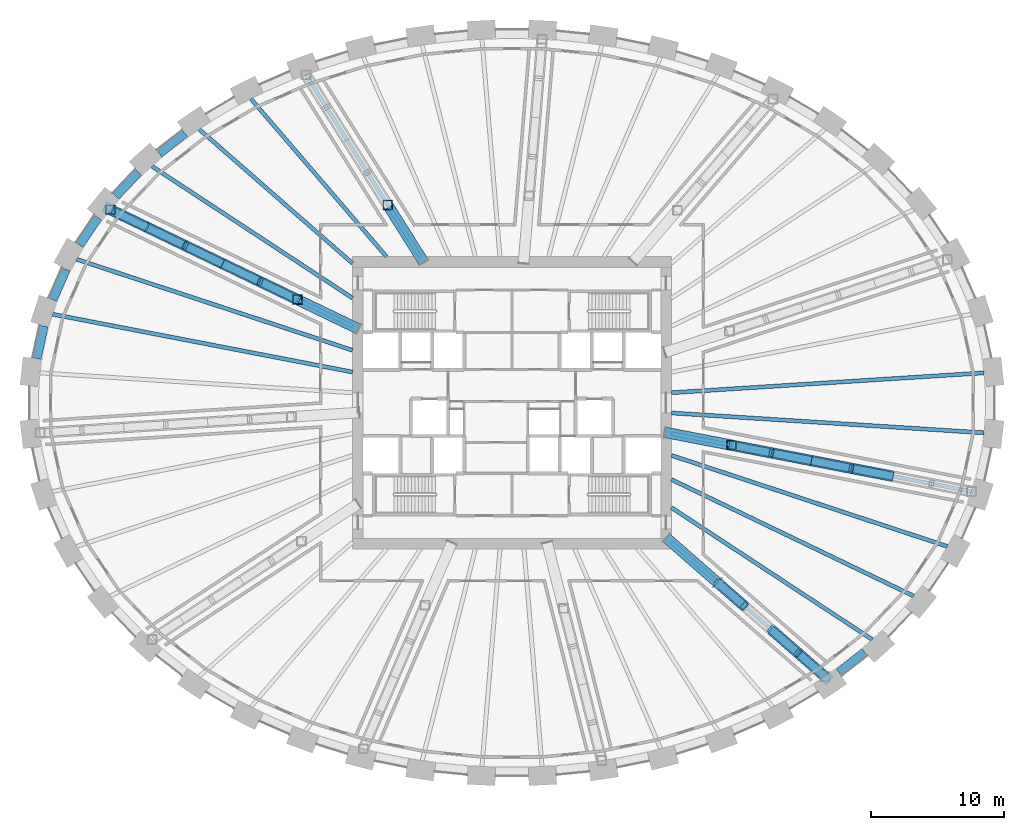
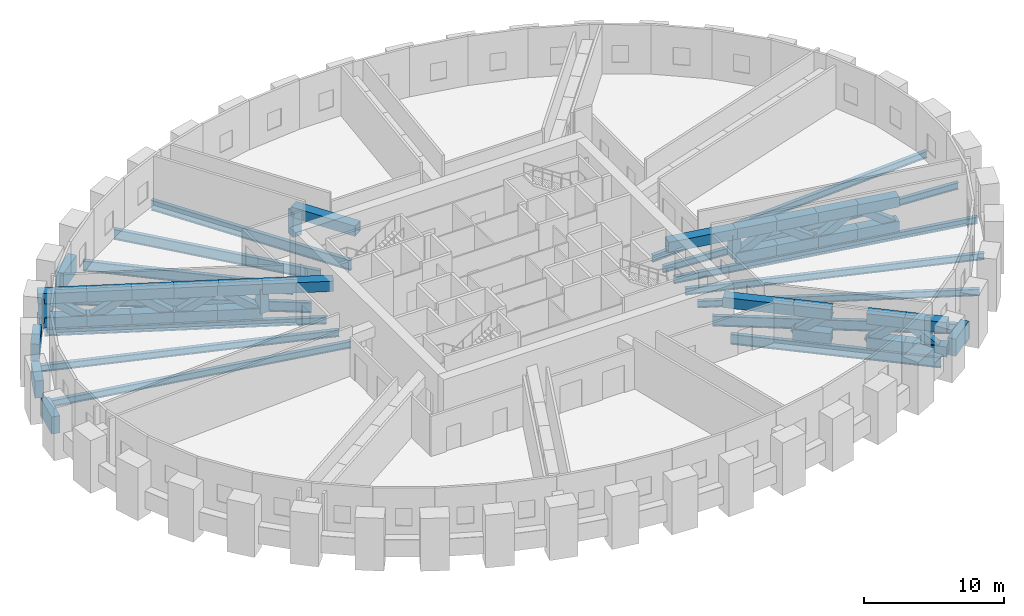
# One storey, part 3 of 13: 44 members, 20 beams.
"""IFC4 building model written with IfcOpenShell, lengths in metres."""

from ifc_helpers import new_model, si_unit, direction, frame, origin, origin_2d, place, context, subcontext, project, spatial, rectangle, hollow_rectangle, i_section, extrude, source, transform, mapped, material, material_profile, profile_set, type_object, element, save


model = new_model("IFC4")

# Units and contexts
model_context = context("Model", 3, precision=1e-05, world=origin(), true_north=direction((0.0, 1.0)))
body_context = subcontext(model_context, "Body", "Model", "MODEL_VIEW")
ifc_project = project(units=[si_unit("LENGTHUNIT", "METRE"), si_unit("AREAUNIT", "SQUARE_METRE"), si_unit("VOLUMEUNIT", "CUBIC_METRE"), si_unit("PLANEANGLEUNIT", "RADIAN"), si_unit("MASSUNIT", "GRAM", prefix="KILO")], contexts=[model_context])

# Site, building, storey
site_placement = place(None, origin())
site = spatial("IfcSite", under=ifc_project, at=site_placement, CompositionType="ELEMENT")
building_placement = place(site_placement, origin())
building = spatial("IfcBuilding", under=site, at=building_placement, Name="Embergate Tower", CompositionType="ELEMENT")
storey_placement = place(building_placement, frame((0.0, 0.0, 195.0)))
storey = spatial("IfcBuildingStorey", under=building, at=storey_placement, Name="L44", CompositionType="ELEMENT", Elevation=195.0)

# Beams
ifc_material_1 = material(Name="Concrete C60", Category="concrete")
ifc_material_profile_1 = material_profile(ifc_material_1, rectangle(XDim=0.64990234375, YDim=1.5, at=origin_2d()), Name="RC 650x1500")
ifc_profile_set_1 = profile_set([ifc_material_profile_1], Name="Concrete C60")
beam_type_1 = type_object("IfcBeamType", Name="Spandrel beam RC 650x1500 C60", PredefinedType="BEAM", material=ifc_profile_set_1)
shared_shape_1 = source(origin(), body_context, "Body", "SweptSolid", [
    extrude(rectangle(XDim=0.64990234375, YDim=1.5, at=origin_2d()), origin(), (0.0, 0.0, 1.0), 2.495849609375),
])
beam_1_placement = place(storey_placement, frame((-35.221923828125, 5.77587890625, 0.0), z_axis=(-0.210410815017, -0.97761305685, 0.0), x_axis=(0.97761305685, -0.210410815017, 0.0)))
element("IfcBeam", 1, at=beam_1_placement, inside=storey, type_object=beam_type_1, Name="SPN-L44-20", PredefinedType="BEAM", context=body_context, shape_type="MappedRepresentation", body=[
    mapped(shared_shape_1, transform((0.0, 0.0, 0.0))),
])
shared_shape_2 = source(origin(), body_context, "Body", "SweptSolid", [
    extrude(rectangle(XDim=0.64990234375, YDim=1.5, at=origin_2d()), origin(), (0.0, 0.0, 1.0), 2.4873046875),
])
beam_2_placement = place(storey_placement, frame((-33.55810546875, 10.0458984375, 0.0), z_axis=(-0.401570504265, -0.915828111659, 0.0), x_axis=(0.915828111659, -0.401570504265, 0.0)))
element("IfcBeam", 2, at=beam_2_placement, inside=storey, type_object=beam_type_1, Name="SPN-L44-19", PredefinedType="BEAM", context=body_context, shape_type="MappedRepresentation", body=[
    mapped(shared_shape_2, transform((0.0, 0.0, 0.0))),
])
shared_shape_3 = source(origin(), body_context, "Body", "SweptSolid", [
    extrude(rectangle(XDim=0.64990234375, YDim=1.5, at=origin_2d()), origin(), (0.0, 0.0, 1.0), 2.48193359375),
])
beam_3_placement = place(storey_placement, frame((-31.14501953125, 13.93603515625, 0.0), z_axis=(-0.562484902419, -0.826807555935, 0.0), x_axis=(0.826807555935, -0.562484902419, 0.0)))
element("IfcBeam", 3, at=beam_3_placement, inside=storey, type_object=beam_type_1, Name="SPN-L44-18", PredefinedType="BEAM", context=body_context, shape_type="MappedRepresentation", body=[
    mapped(shared_shape_3, transform((0.0, 0.0, 0.0))),
])
shared_shape_4 = source(origin(), body_context, "Body", "SweptSolid", [
    extrude(rectangle(XDim=0.64990234375, YDim=1.5, at=origin_2d()), origin(), (0.0, 0.0, 1.0), 2.474853515625),
])
beam_4_placement = place(storey_placement, frame((-28.10205078125, 17.347900390625, 0.0), z_axis=(-0.690137817058, -0.723677962541, 0.0), x_axis=(0.723677962541, -0.690137817058, 0.0)))
element("IfcBeam", 4, at=beam_4_placement, inside=storey, type_object=beam_type_1, Name="SPN-L44-17", PredefinedType="BEAM", context=body_context, shape_type="MappedRepresentation", body=[
    mapped(shared_shape_4, transform((0.0, 0.0, 0.0))),
])
shared_shape_5 = source(origin(), body_context, "Body", "SweptSolid", [
    extrude(rectangle(XDim=0.64990234375, YDim=1.5, at=origin_2d()), origin(), (0.0, 0.0, 1.0), 2.469970703125),
])
for number, where, z_axis, x_axis, name in (
    (5, (-24.59912109375, 20.277099609375, 0.0), (-0.788201173766, -0.615417670914, 0.0), (0.615417670914, -0.788201173766, 0.0), "SPN-L44-16"),
    (6, (24.59912109375, -20.277099609375, 0.0), (0.788201173766, 0.615417670914, 0.0), (-0.615417670914, 0.788201173766, 0.0), "SPN-L44-38"),
):
    element("IfcBeam", number, at=place(storey_placement, frame(where, z_axis=z_axis, x_axis=x_axis)), inside=storey, type_object=beam_type_1, Name=name, PredefinedType="BEAM", context=body_context, shape_type="MappedRepresentation", body=[
        mapped(shared_shape_5, transform((0.0, 0.0, 0.0))),
    ])
ifc_material_2 = material(Name="Steel Q355B", Category="steel")
ifc_material_profile_2 = material_profile(ifc_material_2, i_section(OverallWidth=0.300048828125, OverallDepth=0.587890625, WebThickness=0.011962890625, FlangeThickness=0.02001953125, FilletRadius=0.012939453125, at=origin_2d()), Name="HM 588x300x12x20")
ifc_profile_set_2 = profile_set([ifc_material_profile_2], Name="Steel Q355 grade B")
beam_type_2 = type_object("IfcBeamType", Name="Plant girder HM 588x300x12x20", PredefinedType="BEAM", material=ifc_profile_set_2)
shared_shape_6 = source(origin(), body_context, "Body", "SweptSolid", [
    extrude(i_section(OverallWidth=0.300048828125, OverallDepth=0.587890625, WebThickness=0.011962890625, FlangeThickness=0.02001953125, FilletRadius=0.012939453125, at=origin_2d()), origin(), (0.0, 0.0, 1.0), 23.5712890625),
])
for number, where, z_axis, x_axis, name in (
    (7, (35.52392578125, 2.256103515625, -0.593994140625), (-0.997988955253, -0.063388052454, 0.0), (0.063388052454, -0.997988955253, 0.0), "GIR-L44-00"),
    (8, (35.52392578125, -2.256103515625, -0.593994140625), (-0.997988955253, 0.063388052454, 0.0), (-0.063388052454, -0.997988955253, 0.0), "GIR-L44-43"),
):
    element("IfcBeam", number, at=place(storey_placement, frame(where, z_axis=z_axis, x_axis=x_axis)), inside=storey, type_object=beam_type_2, Name=name, PredefinedType="BEAM", context=body_context, shape_type="MappedRepresentation", body=[
        mapped(shared_shape_6, transform((0.0, 0.0, 0.0))),
    ])
shared_shape_7 = source(origin(), body_context, "Body", "SweptSolid", [
    extrude(i_section(OverallWidth=0.300048828125, OverallDepth=0.587890625, WebThickness=0.011962890625, FlangeThickness=0.02001953125, FilletRadius=0.012939453125, at=origin_2d()), origin(), (0.0, 0.0, 1.0), 22.989990234375),
])
for number, where, z_axis, x_axis, name in (
    (9, (-34.573974609375, 6.6689453125, -0.593994140625), (0.981902604408, -0.189386576761, 0.0), (0.189386576761, 0.981902604408, 0.0), "GIR-L44-20"),
    (10, (34.573974609375, -6.6689453125, -0.593994140625), (-0.981902604408, 0.189386576761, 0.0), (-0.189386576761, -0.981902604408, 0.0), "GIR-L44-42"),
):
    element("IfcBeam", number, at=place(storey_placement, frame(where, z_axis=z_axis, x_axis=x_axis)), inside=storey, type_object=beam_type_2, Name=name, PredefinedType="BEAM", context=body_context, shape_type="MappedRepresentation", body=[
        mapped(shared_shape_7, transform((0.0, 0.0, 0.0))),
    ])
shared_shape_8 = source(origin(), body_context, "Body", "SweptSolid", [
    extrude(i_section(OverallWidth=0.300048828125, OverallDepth=0.587890625, WebThickness=0.011962890625, FlangeThickness=0.02001953125, FilletRadius=0.012939453125, at=origin_2d()), origin(), (0.0, 0.0, 1.0), 21.86181640625),
])
for number, where, z_axis, x_axis, name in (
    (11, (-32.761962890625, 10.803955078125, -0.593994140625), (0.949690212312, -0.313190837411, 0.0), (0.313190837411, 0.949690212312, 0.0), "GIR-L44-19"),
    (12, (32.761962890625, -10.803955078125, -0.593994140625), (-0.949690212312, 0.313190837411, 0.0), (-0.313190837411, -0.949690212312, 0.0), "GIR-L44-41"),
):
    element("IfcBeam", number, at=place(storey_placement, frame(where, z_axis=z_axis, x_axis=x_axis)), inside=storey, type_object=beam_type_2, Name=name, PredefinedType="BEAM", context=body_context, shape_type="MappedRepresentation", body=[
        mapped(shared_shape_8, transform((0.0, 0.0, 0.0))),
    ])
shared_shape_9 = source(origin(), body_context, "Body", "SweptSolid", [
    extrude(i_section(OverallWidth=0.300048828125, OverallDepth=0.587890625, WebThickness=0.011962890625, FlangeThickness=0.02001953125, FilletRadius=0.012939453125, at=origin_2d()), origin(), (0.0, 0.0, 1.0), 20.220458984375),
])
for number, where, z_axis, x_axis, name in (
    (13, (-30.221923828125, 14.5380859375, -0.593994140625), (0.901163637212, -0.433479064046, 0.0), (0.433479064046, 0.901163637212, 0.0), "GIR-L44-18"),
    (14, (30.221923828125, -14.5380859375, -0.593994140625), (-0.901163637212, 0.433479064046, 0.0), (-0.433479064046, -0.901163637212, 0.0), "GIR-L44-40"),
):
    element("IfcBeam", number, at=place(storey_placement, frame(where, z_axis=z_axis, x_axis=x_axis)), inside=storey, type_object=beam_type_2, Name=name, PredefinedType="BEAM", context=body_context, shape_type="MappedRepresentation", body=[
        mapped(shared_shape_9, transform((0.0, 0.0, 0.0))),
    ])
ifc_material_profile_3 = material_profile(ifc_material_2, i_section(OverallWidth=0.300048828125, OverallDepth=0.89990234375, WebThickness=0.01611328125, FlangeThickness=0.028076171875, FilletRadius=0.028076171875, at=origin_2d()), Name="HN 900x300x16x28")
ifc_profile_set_3 = profile_set([ifc_material_profile_3], Name="Steel Q355 grade B")
beam_type_3 = type_object("IfcBeamType", Name="Plant girder HN 900x300x16x28", PredefinedType="BEAM", material=ifc_profile_set_3)
shared_shape_10 = source(origin(), body_context, "Body", "SweptSolid", [
    extrude(i_section(OverallWidth=0.300048828125, OverallDepth=0.89990234375, WebThickness=0.01611328125, FlangeThickness=0.028076171875, FilletRadius=0.028076171875, at=origin_2d()), origin(), (0.0, 0.0, 1.0), 18.072509765625),
])
for number, where, z_axis, x_axis, name in (
    (15, (-27.10400390625, 17.80810546875, -0.75), (0.835741437454, -0.549123164437, 0.0), (0.549123164437, 0.835741437454, 0.0), "GIR-L44-17"),
    (16, (27.10400390625, -17.80810546875, -0.75), (-0.835741437454, 0.549123164437, 0.0), (-0.549123164437, -0.835741437454, 0.0), "GIR-L44-39"),
):
    element("IfcBeam", number, at=place(storey_placement, frame(where, z_axis=z_axis, x_axis=x_axis)), inside=storey, type_object=beam_type_3, Name=name, PredefinedType="BEAM", context=body_context, shape_type="MappedRepresentation", body=[
        mapped(shared_shape_10, transform((0.0, 0.0, 0.0))),
    ])
shared_shape_11 = source(origin(), body_context, "Body", "SweptSolid", [
    extrude(i_section(OverallWidth=0.300048828125, OverallDepth=0.89990234375, WebThickness=0.01611328125, FlangeThickness=0.028076171875, FilletRadius=0.028076171875, at=origin_2d()), origin(), (0.0, 0.0, 1.0), 15.332275390625),
])
for number, where, z_axis, x_axis, name in (
    (17, (-23.5419921875, 20.587890625, -0.75), (0.752785772217, -0.658265585571, 0.0), (0.658265585571, 0.752785772217, 0.0), "GIR-L44-16"),
    (18, (23.5419921875, -20.587890625, -0.75), (-0.752785772217, 0.658265585571, 0.0), (-0.658265585571, -0.752785772217, 0.0), "GIR-L44-38"),
):
    element("IfcBeam", number, at=place(storey_placement, frame(where, z_axis=z_axis, x_axis=x_axis)), inside=storey, type_object=beam_type_3, Name=name, PredefinedType="BEAM", context=body_context, shape_type="MappedRepresentation", body=[
        mapped(shared_shape_11, transform((0.0, 0.0, 0.0))),
    ])
shared_shape_12 = source(origin(), body_context, "Body", "SweptSolid", [
    extrude(i_section(OverallWidth=0.300048828125, OverallDepth=0.89990234375, WebThickness=0.01611328125, FlangeThickness=0.028076171875, FilletRadius=0.028076171875, at=origin_2d()), origin(), (0.0, 0.0, 1.0), 15.656982421875),
])
beam_5_placement = place(storey_placement, frame((-19.64697265625, 22.8779296875, -0.75), z_axis=(0.65152174109, -0.758629963083, 0.0), x_axis=(0.758629963083, 0.65152174109, 0.0)))
element("IfcBeam", 19, at=beam_5_placement, inside=storey, type_object=beam_type_3, Name="GIR-L44-15", PredefinedType="BEAM", context=body_context, shape_type="MappedRepresentation", body=[
    mapped(shared_shape_12, transform((0.0, 0.0, 0.0))),
])
shared_shape_13 = source(origin(), body_context, "Body", "SweptSolid", [
    extrude(i_section(OverallWidth=0.300048828125, OverallDepth=0.89990234375, WebThickness=0.01611328125, FlangeThickness=0.028076171875, FilletRadius=0.028076171875, at=origin_2d()), origin(), (0.0, 0.0, 1.0), 16.16455078125),
])
beam_6_placement = place(storey_placement, frame((-15.5048828125, 24.68896484375, -0.75), z_axis=(0.531835896926, -0.84684743534, 0.0), x_axis=(0.84684743534, 0.531835896926, 0.0)))
element("IfcBeam", 20, at=beam_6_placement, inside=storey, type_object=beam_type_3, Name="GIR-L44-14", PredefinedType="BEAM", context=body_context, shape_type="MappedRepresentation", body=[
    mapped(shared_shape_13, transform((0.0, 0.0, 0.0))),
])

# Members
ifc_material_profile_4 = material_profile(ifc_material_2, hollow_rectangle(XDim=0.699951171875, YDim=0.699951171875, WallThickness=0.031982421875, at=origin_2d()), Name="BOX 700x700x32")
ifc_profile_set_4 = profile_set([ifc_material_profile_4], Name="Steel Q355 grade B")
member_type_1 = type_object("IfcMemberType", Name="Outrigger post BOX 700x700x32", PredefinedType="POST", material=ifc_profile_set_4)
shared_shape_14 = source(origin(), body_context, "Body", "SweptSolid", [
    extrude(hollow_rectangle(XDim=0.699951171875, YDim=0.699951171875, WallThickness=0.031982421875, at=origin_2d()), origin(), (0.0, 0.0, 1.0), 2.1201171875),
])
for number, where, z_axis, x_axis, name in (
    (21, (-9.35498046875, 14.89501953125, 0.449951171875), (0.0, 0.0, 1.0), (1.0, 0.0, 0.0), "OUT-L44-14-PO00"),
    (22, (-16.14501953125, 7.76708984375, 0.449951171875), (0.0, 0.0, 1.0), (1.0, 0.0, 0.0), "OUT-L44-18-PO00"),
    (23, (-30.221923828125, 14.5390625, 0.449951171875), (0.0, 0.0, 1.0), (1.0, 0.0, 0.0), "OUT-L44-18-PO05"),
    (24, (16.51708984375, -3.18603515625, 0.449951171875), (0.0, 0.0, 1.0), (1.0, 0.0, 0.0), "OUT-L44-42-PO00"),
):
    element("IfcMember", number, at=place(storey_placement, frame(where, z_axis=z_axis, x_axis=x_axis)), inside=storey, type_object=member_type_1, Name=name, PredefinedType="POST", context=body_context, shape_type="MappedRepresentation", body=[
        mapped(shared_shape_14, transform((0.0, 0.0, 0.0))),
    ])
ifc_material_profile_5 = material_profile(ifc_material_2, hollow_rectangle(XDim=0.800048828125, YDim=0.89990234375, WallThickness=0.0400390625, at=origin_2d()), Name="BOX 900x800x40")
ifc_profile_set_5 = profile_set([ifc_material_profile_5], Name="Steel Q355 grade B")
member_type_2 = type_object("IfcMemberType", Name="Outrigger chord BOX 900x800x40", PredefinedType="CHORD", material=ifc_profile_set_5)
shared_shape_15 = source(origin(), body_context, "Body", "SweptSolid", [
    extrude(hollow_rectangle(XDim=0.800048828125, YDim=0.89990234375, WallThickness=0.0400390625, at=origin_2d()), origin(), (0.0, 0.0, 1.0), 5.19970703125),
])
for number, where, z_axis, x_axis, name in (
    (25, (-6.64208984375, 10.576904296875, 2.570068359375), (-0.531926319738, 0.846790641404, 0.0), (-0.846790641404, -0.531926319738, 0.0), "OUT-L44-14-TC00"),
    (26, (11.6240234375, -10.1650390625, 2.570068359375), (0.75276281763, -0.658291835278, 0.0), (0.658291835278, 0.75276281763, 0.0), "OUT-L44-38-TC00"),
):
    element("IfcMember", number, at=place(storey_placement, frame(where, z_axis=z_axis, x_axis=x_axis)), inside=storey, type_object=member_type_2, Name=name, PredefinedType="CHORD", context=body_context, shape_type="MappedRepresentation", body=[
        mapped(shared_shape_15, transform((0.0, 0.0, 0.0))),
    ])
shared_shape_16 = source(origin(), body_context, "Body", "SweptSolid", [
    extrude(hollow_rectangle(XDim=0.800048828125, YDim=0.89990234375, WallThickness=0.0400390625, at=origin_2d()), origin(), (0.0, 0.0, 1.0), 5.200439453125),
])
member_1_placement = place(storey_placement, frame((-11.549072265625, 5.555908203125, 2.570068359375), z_axis=(-0.901085246533, 0.433641993447, 0.0), x_axis=(-0.433641993447, -0.901085246533, 0.0)))
element("IfcMember", 27, at=member_1_placement, inside=storey, type_object=member_type_2, Name="OUT-L44-18-TC00", PredefinedType="CHORD", context=body_context, shape_type="MappedRepresentation", body=[
    mapped(shared_shape_16, transform((0.0, 0.0, 0.0))),
])
shared_shape_17 = source(origin(), body_context, "Body", "SweptSolid", [
    extrude(hollow_rectangle(XDim=0.800048828125, YDim=0.89990234375, WallThickness=0.0400390625, at=origin_2d()), origin(), (0.0, 0.0, 1.0), 3.224853515625),
])
for number, where, z_axis, x_axis, name in (
    (28, (-16.14501953125, 7.76708984375, 2.570068359375), (-0.901151767087, 0.433503740094, 0.0), (-0.433503740094, -0.901151767087, 0.0), "OUT-L44-18-TC01"),
    (29, (-24.591064453125, 11.830078125, 2.570068359375), (-0.901151767087, 0.433503740094, 0.0), (-0.433503740094, -0.901151767087, 0.0), "OUT-L44-18-TC04"),
    (30, (-16.14501953125, 7.76708984375, 0.449951171875), (-0.901151767087, 0.433503740094, 0.0), (-0.433503740094, -0.901151767087, 0.0), "OUT-L44-18-BC00"),
    (31, (-24.591064453125, 11.830078125, 0.449951171875), (-0.901151767087, 0.433503740094, 0.0), (-0.433503740094, -0.901151767087, 0.0), "OUT-L44-18-BC03"),
):
    element("IfcMember", number, at=place(storey_placement, frame(where, z_axis=z_axis, x_axis=x_axis)), inside=storey, type_object=member_type_2, Name=name, PredefinedType="CHORD", context=body_context, shape_type="MappedRepresentation", body=[
        mapped(shared_shape_17, transform((0.0, 0.0, 0.0))),
    ])
shared_shape_18 = source(origin(), body_context, "Body", "SweptSolid", [
    extrude(hollow_rectangle(XDim=0.800048828125, YDim=0.89990234375, WallThickness=0.0400390625, at=origin_2d()), origin(), (0.0, 0.0, 1.0), 3.223388671875),
])
for number, where, z_axis, x_axis, name in (
    (32, (-18.9609375, 9.1220703125, 2.570068359375), (-0.901213175102, 0.433376064201, 0.0), (-0.433376064201, -0.901213175102, 0.0), "OUT-L44-18-TC02"),
    (33, (-18.9609375, 9.1220703125, 0.449951171875), (-0.901213175102, 0.433376064201, 0.0), (-0.433376064201, -0.901213175102, 0.0), "OUT-L44-18-BC01"),
):
    element("IfcMember", number, at=place(storey_placement, frame(where, z_axis=z_axis, x_axis=x_axis)), inside=storey, type_object=member_type_2, Name=name, PredefinedType="CHORD", context=body_context, shape_type="MappedRepresentation", body=[
        mapped(shared_shape_18, transform((0.0, 0.0, 0.0))),
    ])
shared_shape_19 = source(origin(), body_context, "Body", "SweptSolid", [
    extrude(hollow_rectangle(XDim=0.800048828125, YDim=0.89990234375, WallThickness=0.0400390625, at=origin_2d()), origin(), (0.0, 0.0, 1.0), 3.223876953125),
])
for number, where, z_axis, x_axis, name in (
    (34, (-21.77587890625, 10.47607421875, 2.570068359375), (-0.901094833966, 0.433622070702, 0.0), (-0.433622070702, -0.901094833966, 0.0), "OUT-L44-18-TC03"),
    (35, (-21.77587890625, 10.47607421875, 0.449951171875), (-0.901094833966, 0.433622070702, 0.0), (-0.433622070702, -0.901094833966, 0.0), "OUT-L44-18-BC02"),
):
    element("IfcMember", number, at=place(storey_placement, frame(where, z_axis=z_axis, x_axis=x_axis)), inside=storey, type_object=member_type_2, Name=name, PredefinedType="CHORD", context=body_context, shape_type="MappedRepresentation", body=[
        mapped(shared_shape_19, transform((0.0, 0.0, 0.0))),
    ])
shared_shape_20 = source(origin(), body_context, "Body", "SweptSolid", [
    extrude(hollow_rectangle(XDim=0.800048828125, YDim=0.89990234375, WallThickness=0.0400390625, at=origin_2d()), origin(), (0.0, 0.0, 1.0), 3.624267578125),
])
for number, where, z_axis, x_axis, name in (
    (36, (-27.406982421875, 13.18505859375, 2.570068359375), (-0.901166408658, 0.433473302415, 0.0), (-0.433473302415, -0.901166408658, 0.0), "OUT-L44-18-TC05"),
    (37, (-27.406982421875, 13.18505859375, 0.449951171875), (-0.901166408658, 0.433473302415, 0.0), (-0.433473302415, -0.901166408658, 0.0), "OUT-L44-18-BC04"),
):
    element("IfcMember", number, at=place(storey_placement, frame(where, z_axis=z_axis, x_axis=x_axis)), inside=storey, type_object=member_type_2, Name=name, PredefinedType="CHORD", context=body_context, shape_type="MappedRepresentation", body=[
        mapped(shared_shape_20, transform((0.0, 0.0, 0.0))),
    ])
ifc_material_profile_6 = material_profile(ifc_material_2, hollow_rectangle(XDim=0.60009765625, YDim=0.60009765625, WallThickness=0.028076171875, at=origin_2d()), Name="BOX 600x600x28")
ifc_profile_set_6 = profile_set([ifc_material_profile_6], Name="Steel Q355 grade B")
member_type_3 = type_object("IfcMemberType", Name="Outrigger diagonal BOX 600x600x28", PredefinedType="BRACE", material=ifc_profile_set_6)
shared_shape_21 = source(origin(), body_context, "Body", "SweptSolid", [
    extrude(hollow_rectangle(XDim=0.60009765625, YDim=0.60009765625, WallThickness=0.028076171875, at=origin_2d()), origin(), (0.0, 0.0, 1.0), 3.7763671875),
])
for number, where, z_axis, x_axis, name in (
    (38, (-16.14501953125, 7.76708984375, 0.449951171875), (-0.745686416503, 0.358813907716, 0.561430626055), (-0.433599498196, -0.90110569589, 0.0), "OUT-L44-18-DG00"),
    (39, (-24.591064453125, 11.830078125, 2.570068359375), (-0.745686416503, 0.358813907716, -0.561430626055), (-0.433599498196, -0.90110569589, 0.0), "OUT-L44-18-DG03"),
):
    element("IfcMember", number, at=place(storey_placement, frame(where, z_axis=z_axis, x_axis=x_axis)), inside=storey, type_object=member_type_3, Name=name, PredefinedType="BRACE", context=body_context, shape_type="MappedRepresentation", body=[
        mapped(shared_shape_21, transform((0.0, 0.0, 0.0))),
    ])
shared_shape_22 = source(origin(), body_context, "Body", "SweptSolid", [
    extrude(hollow_rectangle(XDim=0.60009765625, YDim=0.60009765625, WallThickness=0.028076171875, at=origin_2d()), origin(), (0.0, 0.0, 1.0), 3.775146484375),
])
for number, where, z_axis, x_axis, name in (
    (40, (-18.9609375, 9.1220703125, 2.570068359375), (-0.745640768971, 0.358657736749, -0.561591018018), (-0.433467789231, -0.901169060554, 0.0), "OUT-L44-18-DG01"),
    (41, (-27.406982421875, 13.18505859375, 0.449951171875), (-0.745640768971, 0.358657736749, 0.561591018018), (-0.433467789231, -0.901169060554, 0.0), "OUT-L44-18-DG04"),
):
    element("IfcMember", number, at=place(storey_placement, frame(where, z_axis=z_axis, x_axis=x_axis)), inside=storey, type_object=member_type_3, Name=name, PredefinedType="BRACE", context=body_context, shape_type="MappedRepresentation", body=[
        mapped(shared_shape_22, transform((0.0, 0.0, 0.0))),
    ])
shared_shape_23 = source(origin(), body_context, "Body", "SweptSolid", [
    extrude(hollow_rectangle(XDim=0.60009765625, YDim=0.60009765625, WallThickness=0.028076171875, at=origin_2d()), origin(), (0.0, 0.0, 1.0), 3.775390625),
])
member_2_placement = place(storey_placement, frame((-21.77587890625, 10.47607421875, 0.449951171875), z_axis=(-0.745669481491, 0.358640442663, 0.56156393871), x_axis=(-0.4334372602, -0.901183744566, 0.0)))
element("IfcMember", 42, at=member_2_placement, inside=storey, type_object=member_type_3, Name="OUT-L44-18-DG02", PredefinedType="BRACE", context=body_context, shape_type="MappedRepresentation", body=[
    mapped(shared_shape_23, transform((0.0, 0.0, 0.0))),
])
shared_shape_24 = source(origin(), body_context, "Body", "SweptSolid", [
    extrude(hollow_rectangle(XDim=0.800048828125, YDim=0.89990234375, WallThickness=0.0400390625, at=origin_2d()), origin(), (0.0, 0.0, 1.0), 2.783935546875),
])
for number, where, z_axis, x_axis, name in (
    (43, (15.462890625, -13.52197265625, 2.570068359375), (0.75263101883, -0.658442517988, 0.0), (0.658442517988, 0.75263101883, 0.0), "OUT-L44-38-TC01"),
    (44, (15.462890625, -13.52197265625, 0.449951171875), (0.75263101883, -0.658442517988, 0.0), (0.658442517988, 0.75263101883, 0.0), "OUT-L44-38-BC00"),
):
    element("IfcMember", number, at=place(storey_placement, frame(where, z_axis=z_axis, x_axis=x_axis)), inside=storey, type_object=member_type_2, Name=name, PredefinedType="CHORD", context=body_context, shape_type="MappedRepresentation", body=[
        mapped(shared_shape_24, transform((0.0, 0.0, 0.0))),
    ])
shared_shape_25 = source(origin(), body_context, "Body", "SweptSolid", [
    extrude(hollow_rectangle(XDim=0.800048828125, YDim=0.89990234375, WallThickness=0.0400390625, at=origin_2d()), origin(), (0.0, 0.0, 1.0), 2.782958984375),
])
for number, where, z_axis, x_axis, name in (
    (45, (19.501953125, -17.054931640625, 2.570068359375), (0.752766863192, -0.658287209112, 0.0), (0.658287209112, 0.752766863192, 0.0), "OUT-L44-38-TC03"),
    (46, (19.501953125, -17.054931640625, 0.449951171875), (0.752766863192, -0.658287209112, 0.0), (0.658287209112, 0.752766863192, 0.0), "OUT-L44-38-BC02"),
):
    element("IfcMember", number, at=place(storey_placement, frame(where, z_axis=z_axis, x_axis=x_axis)), inside=storey, type_object=member_type_2, Name=name, PredefinedType="CHORD", context=body_context, shape_type="MappedRepresentation", body=[
        mapped(shared_shape_25, transform((0.0, 0.0, 0.0))),
    ])
shared_shape_26 = source(origin(), body_context, "Body", "SweptSolid", [
    extrude(hollow_rectangle(XDim=0.800048828125, YDim=0.89990234375, WallThickness=0.0400390625, at=origin_2d()), origin(), (0.0, 0.0, 1.0), 3.1826171875),
])
for number, where, z_axis, x_axis, name in (
    (47, (21.52197265625, -18.822021484375, 2.570068359375), (0.75281423748, -0.658233031569, 0.0), (0.658233031569, 0.75281423748, 0.0), "OUT-L44-38-TC04"),
    (48, (21.52197265625, -18.822021484375, 0.449951171875), (0.75281423748, -0.658233031569, 0.0), (0.658233031569, 0.75281423748, 0.0), "OUT-L44-38-BC03"),
):
    element("IfcMember", number, at=place(storey_placement, frame(where, z_axis=z_axis, x_axis=x_axis)), inside=storey, type_object=member_type_2, Name=name, PredefinedType="CHORD", context=body_context, shape_type="MappedRepresentation", body=[
        mapped(shared_shape_26, transform((0.0, 0.0, 0.0))),
    ])
shared_shape_27 = source(origin(), body_context, "Body", "SweptSolid", [
    extrude(hollow_rectangle(XDim=0.60009765625, YDim=0.60009765625, WallThickness=0.028076171875, at=origin_2d()), origin(), (0.0, 0.0, 1.0), 3.419677734375),
])
for number, where, z_axis, x_axis, name in (
    (49, (15.462890625, -13.52197265625, 0.449951171875), (0.590423062077, -0.516745117692, 0.619979911859), (0.658594789175, 0.752497776523, 0.0), "OUT-L44-38-DG00"),
    (50, (21.52197265625, -18.822021484375, 2.570068359375), (0.590717937741, -0.516396282775, -0.619989675048), (0.658156668203, 0.75288099996, 0.0), "OUT-L44-38-DG03"),
):
    element("IfcMember", number, at=place(storey_placement, frame(where, z_axis=z_axis, x_axis=x_axis)), inside=storey, type_object=member_type_3, Name=name, PredefinedType="BRACE", context=body_context, shape_type="MappedRepresentation", body=[
        mapped(shared_shape_27, transform((0.0, 0.0, 0.0))),
    ])
shared_shape_28 = source(origin(), body_context, "Body", "SweptSolid", [
    extrude(hollow_rectangle(XDim=0.60009765625, YDim=0.60009765625, WallThickness=0.028076171875, at=origin_2d()), origin(), (0.0, 0.0, 1.0), 3.420166015625),
])
member_3_placement = place(storey_placement, frame((19.501953125, -17.054931640625, 0.449951171875), z_axis=(0.590609037739, -0.516657990713, 0.619875378744), x_axis=(0.658414441805, 0.752655580477, 0.0)))
element("IfcMember", 51, at=member_3_placement, inside=storey, type_object=member_type_3, Name="OUT-L44-38-DG02", PredefinedType="BRACE", context=body_context, shape_type="MappedRepresentation", body=[
    mapped(shared_shape_28, transform((0.0, 0.0, 0.0))),
])
shared_shape_29 = source(origin(), body_context, "Body", "SweptSolid", [
    extrude(hollow_rectangle(XDim=0.800048828125, YDim=0.89990234375, WallThickness=0.0400390625, at=origin_2d()), origin(), (0.0, 0.0, 1.0), 5.2001953125),
])
member_4_placement = place(storey_placement, frame((11.509033203125, -2.219970703125, 2.570068359375), z_axis=(0.981892412038, -0.189439412957, 0.0), x_axis=(0.189439412957, 0.981892412038, 0.0)))
element("IfcMember", 52, at=member_4_placement, inside=storey, type_object=member_type_2, Name="OUT-L44-42-TC00", PredefinedType="CHORD", context=body_context, shape_type="MappedRepresentation", body=[
    mapped(shared_shape_29, transform((0.0, 0.0, 0.0))),
])
shared_shape_30 = source(origin(), body_context, "Body", "SweptSolid", [
    extrude(hollow_rectangle(XDim=0.800048828125, YDim=0.89990234375, WallThickness=0.0400390625, at=origin_2d()), origin(), (0.0, 0.0, 1.0), 3.164306640625),
])
for number, where, z_axis, x_axis, name in (
    (53, (16.51708984375, -3.18603515625, 2.570068359375), (0.981867502306, -0.189568478168, 0.0), (0.189568478168, 0.981867502306, 0.0), "OUT-L44-42-TC01"),
    (54, (16.51708984375, -3.18603515625, 0.449951171875), (0.981867502306, -0.189568478168, 0.0), (0.189568478168, 0.981867502306, 0.0), "OUT-L44-42-BC00"),
):
    element("IfcMember", number, at=place(storey_placement, frame(where, z_axis=z_axis, x_axis=x_axis)), inside=storey, type_object=member_type_2, Name=name, PredefinedType="CHORD", context=body_context, shape_type="MappedRepresentation", body=[
        mapped(shared_shape_30, transform((0.0, 0.0, 0.0))),
    ])
shared_shape_31 = source(origin(), body_context, "Body", "SweptSolid", [
    extrude(hollow_rectangle(XDim=0.800048828125, YDim=0.89990234375, WallThickness=0.0400390625, at=origin_2d()), origin(), (0.0, 0.0, 1.0), 3.165283203125),
])
for number, where, z_axis, x_axis, name in (
    (55, (19.52587890625, -3.76708984375, 2.570068359375), (0.981938716622, -0.189199251581, 0.0), (0.189199251581, 0.981938716622, 0.0), "OUT-L44-42-TC02"),
    (56, (25.544921875, -4.927978515625, 2.570068359375), (0.981924384692, -0.189273618729, 0.0), (0.189273618729, 0.981924384692, 0.0), "OUT-L44-42-TC04"),
    (57, (19.52587890625, -3.76708984375, 0.449951171875), (0.981938716622, -0.189199251581, 0.0), (0.189199251581, 0.981938716622, 0.0), "OUT-L44-42-BC01"),
    (58, (25.544921875, -4.927978515625, 0.449951171875), (0.981924384692, -0.189273618729, 0.0), (0.189273618729, 0.981924384692, 0.0), "OUT-L44-42-BC03"),
):
    element("IfcMember", number, at=place(storey_placement, frame(where, z_axis=z_axis, x_axis=x_axis)), inside=storey, type_object=member_type_2, Name=name, PredefinedType="CHORD", context=body_context, shape_type="MappedRepresentation", body=[
        mapped(shared_shape_31, transform((0.0, 0.0, 0.0))),
    ])
shared_shape_32 = source(origin(), body_context, "Body", "SweptSolid", [
    extrude(hollow_rectangle(XDim=0.800048828125, YDim=0.89990234375, WallThickness=0.0400390625, at=origin_2d()), origin(), (0.0, 0.0, 1.0), 3.16552734375),
])
for number, where, z_axis, x_axis, name in (
    (59, (22.535888671875, -4.346923828125, 2.570068359375), (0.981867004846, -0.189571054741, 0.0), (0.189571054741, 0.981867004846, 0.0), "OUT-L44-42-TC03"),
    (60, (22.535888671875, -4.346923828125, 0.449951171875), (0.981867004846, -0.189571054741, 0.0), (0.189571054741, 0.981867004846, 0.0), "OUT-L44-42-BC02"),
):
    element("IfcMember", number, at=place(storey_placement, frame(where, z_axis=z_axis, x_axis=x_axis)), inside=storey, type_object=member_type_2, Name=name, PredefinedType="CHORD", context=body_context, shape_type="MappedRepresentation", body=[
        mapped(shared_shape_32, transform((0.0, 0.0, 0.0))),
    ])
shared_shape_33 = source(origin(), body_context, "Body", "SweptSolid", [
    extrude(hollow_rectangle(XDim=0.60009765625, YDim=0.60009765625, WallThickness=0.028076171875, at=origin_2d()), origin(), (0.0, 0.0, 1.0), 3.726318359375),
])
member_5_placement = place(storey_placement, frame((16.51708984375, -3.18603515625, 0.449951171875), z_axis=(0.807446192484, -0.155933295855, 0.568959975295), x_axis=(0.189615627033, 0.981858398133, 0.0)))
element("IfcMember", 61, at=member_5_placement, inside=storey, type_object=member_type_3, Name="OUT-L44-42-DG00", PredefinedType="BRACE", context=body_context, shape_type="MappedRepresentation", body=[
    mapped(shared_shape_33, transform((0.0, 0.0, 0.0))),
])
shared_shape_34 = source(origin(), body_context, "Body", "SweptSolid", [
    extrude(hollow_rectangle(XDim=0.60009765625, YDim=0.60009765625, WallThickness=0.028076171875, at=origin_2d()), origin(), (0.0, 0.0, 1.0), 3.72705078125),
])
for number, where, z_axis, x_axis, name in (
    (62, (19.52587890625, -3.76708984375, 2.570068359375), (0.807601349041, -0.155572487953, -0.568838520161), (0.189157557746, 0.981946749242, 0.0), "OUT-L44-42-DG01"),
    (63, (25.544921875, -4.927978515625, 2.570068359375), (0.80759311745, -0.155636405796, -0.568832722194), (0.189234351543, 0.981931952936, 0.0), "OUT-L44-42-DG03"),
):
    element("IfcMember", number, at=place(storey_placement, frame(where, z_axis=z_axis, x_axis=x_axis)), inside=storey, type_object=member_type_3, Name=name, PredefinedType="BRACE", context=body_context, shape_type="MappedRepresentation", body=[
        mapped(shared_shape_34, transform((0.0, 0.0, 0.0))),
    ])
shared_shape_35 = source(origin(), body_context, "Body", "SweptSolid", [
    extrude(hollow_rectangle(XDim=0.60009765625, YDim=0.60009765625, WallThickness=0.028076171875, at=origin_2d()), origin(), (0.0, 0.0, 1.0), 3.7265625),
])
member_6_placement = place(storey_placement, frame((22.535888671875, -4.346923828125, 0.449951171875), z_axis=(0.807468993013, -0.155925046927, 0.568929877106), x_axis=(0.189600795474, 0.981861262275, 0.0)))
element("IfcMember", 64, at=member_6_placement, inside=storey, type_object=member_type_3, Name="OUT-L44-42-DG02", PredefinedType="BRACE", context=body_context, shape_type="MappedRepresentation", body=[
    mapped(shared_shape_35, transform((0.0, 0.0, 0.0))),
])

save(model, "model.ifc")
